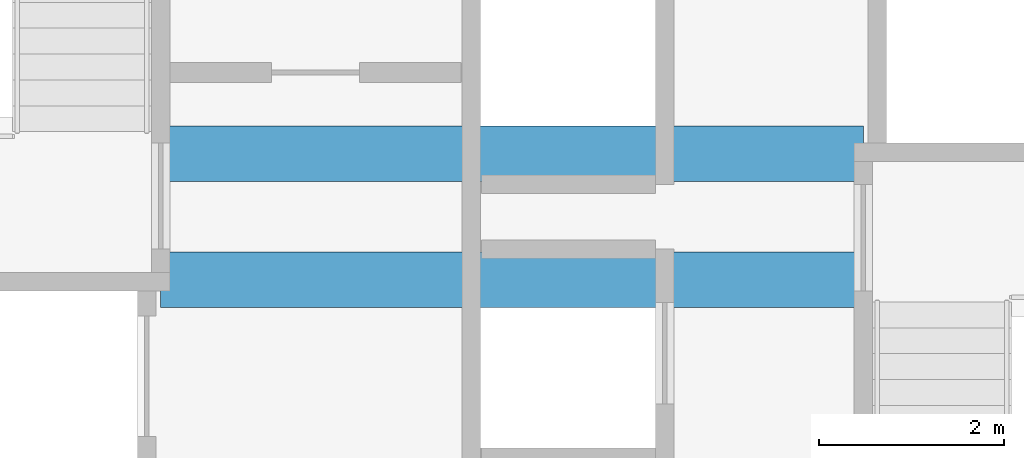
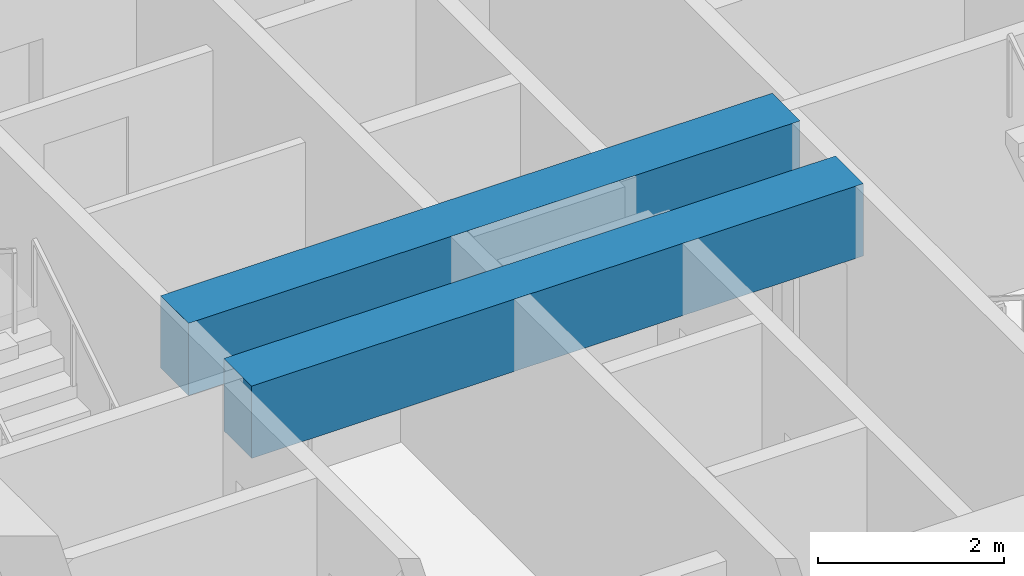
# One storey, part 7 of 44: 2 beams.
"""IFC4 building model written with IfcOpenShell, lengths in metres."""

from ifc_helpers import new_model, si_unit, direction, frame, origin, origin_2d, place, context, subcontext, project, spatial, rectangle, extrude, material, material_profile, profile_set, type_object, element, save


model = new_model("IFC4")

# Units and contexts
model_context = context("Model", 3, precision=1e-05, world=origin(), true_north=direction((0.0, 1.0)))
body_context = subcontext(model_context, "Body", "Model", "MODEL_VIEW")
ifc_project = project(units=[si_unit("LENGTHUNIT", "METRE"), si_unit("AREAUNIT", "SQUARE_METRE"), si_unit("VOLUMEUNIT", "CUBIC_METRE"), si_unit("PLANEANGLEUNIT", "RADIAN"), si_unit("MASSUNIT", "GRAM", prefix="KILO")], contexts=[model_context])

# Site, building, storey
site_placement = place(None, origin())
site = spatial("IfcSite", under=ifc_project, at=site_placement, CompositionType="ELEMENT")
building_placement = place(site_placement, origin())
building = spatial("IfcBuilding", under=site, at=building_placement, Name="Tashvorn Skyway Center", CompositionType="ELEMENT")
storey_placement = place(building_placement, frame((0.0, 0.0, 84.949951171875)))
storey = spatial("IfcBuildingStorey", under=building, at=storey_placement, Name="L22", CompositionType="ELEMENT", Elevation=84.949951171875)

# Beams
ifc_material = material(Name="Concrete C60/75", Category="concrete")
ifc_material_profile = material_profile(ifc_material, rectangle(XDim=0.60009765625, YDim=0.949951171875, at=origin_2d()), Name="RCB600x950")
ifc_profile_set = profile_set([ifc_material_profile], Name="Concrete C60/75")
beam_type = type_object("IfcBeamType", Name="BM-LINTEL-RCB600x950", PredefinedType="LINTEL", material=ifc_profile_set)
for number, where, z_axis, x_axis, name in (
    (1, (38.199951171875, 32.679931640625, 2.875), (1.0, 0.0, 0.0), (0.0, 1.0, 0.0), "Tower 1 L22 Core Coupling Beam CN"),
    (2, (38.199951171875, 31.320068359375, 2.875), (1.0, 0.0, 0.0), (0.0, 1.0, 0.0), "Tower 1 L22 Core Coupling Beam CS"),
):
    element("IfcBeam", number, at=place(storey_placement, frame(where, z_axis=z_axis, x_axis=x_axis)), inside=storey, type_object=beam_type, Name=name, PredefinedType="LINTEL", context=body_context, shape_type="SweptSolid", body=[
        extrude(rectangle(XDim=0.60009765625, YDim=0.949951171875, at=origin_2d()), origin(), (0.0, 0.0, 1.0), 7.60009765625),
    ])

save(model, "model.ifc")
